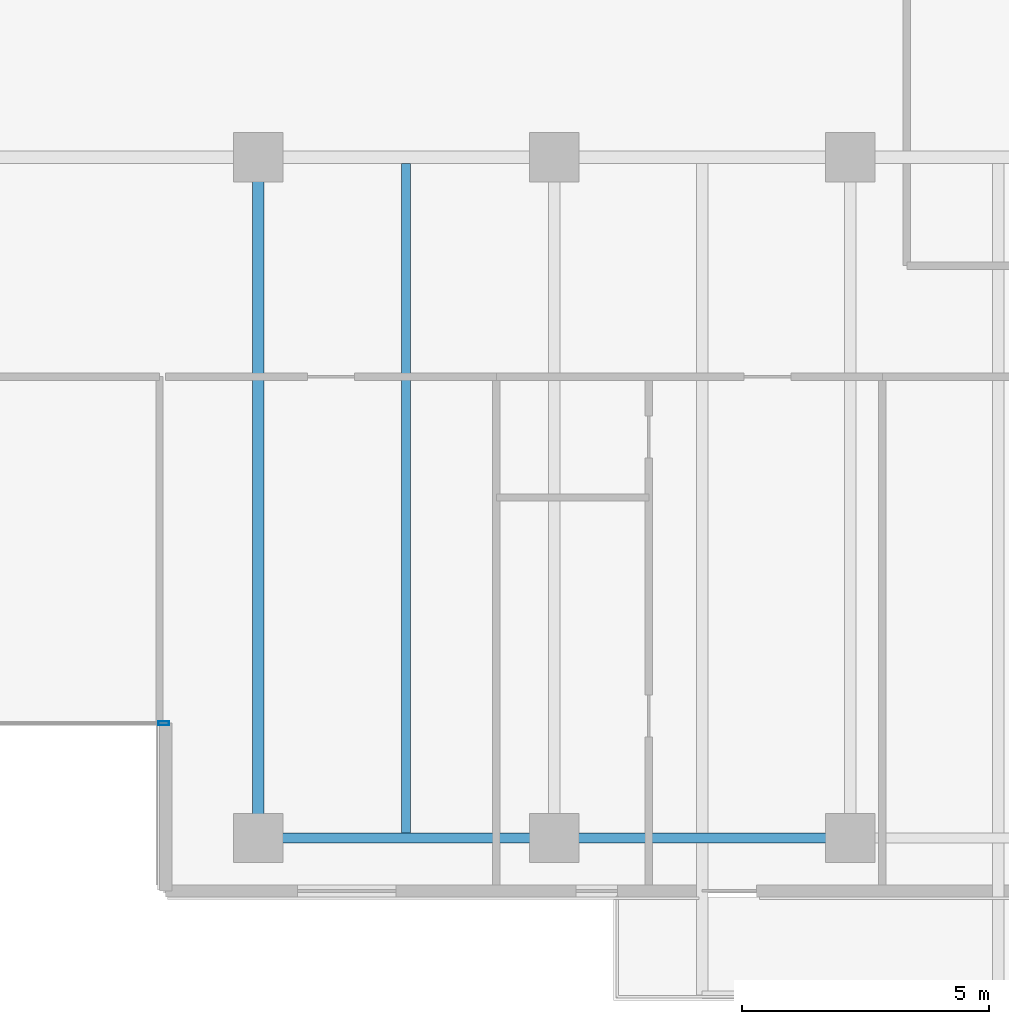
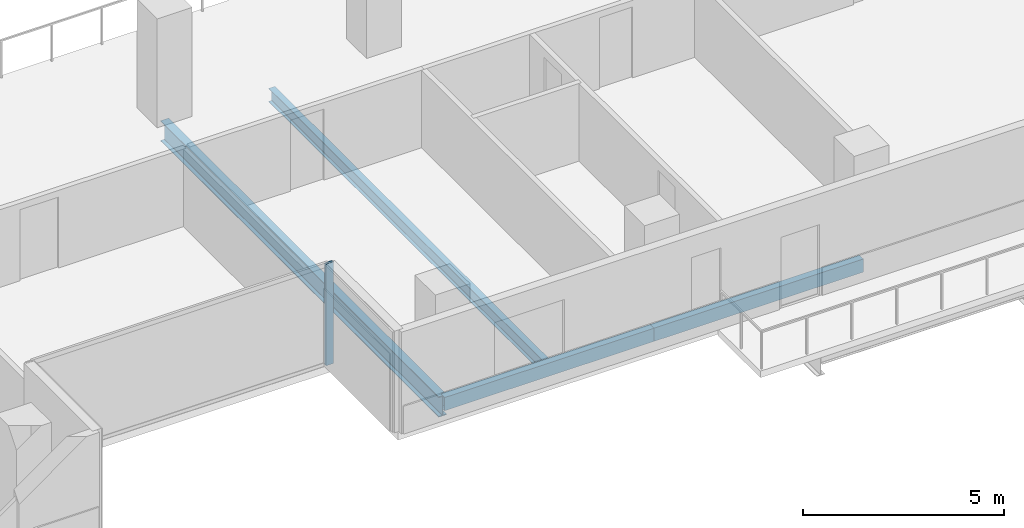
# One storey, part 4 of 23: 4 beams, 1 member, 1 element without a shape of its own.
"""IFC4 building model written with IfcOpenShell, lengths in metres."""

from ifc_helpers import new_model, si_unit, direction, frame, origin, origin_2d, place, context, subcontext, project, spatial, hollow_rectangle, i_section, extrude, material, layer, layer_set, material_profile, profile_set, type_object, element, aggregate, save


model = new_model("IFC4")

# Units and contexts
model_context = context("Model", 3, precision=1e-05, world=origin(), true_north=direction((0.0, 1.0)))
body_context = subcontext(model_context, "Body", "Model", "MODEL_VIEW")
ifc_project = project(units=[si_unit("LENGTHUNIT", "METRE"), si_unit("AREAUNIT", "SQUARE_METRE"), si_unit("VOLUMEUNIT", "CUBIC_METRE"), si_unit("PLANEANGLEUNIT", "RADIAN"), si_unit("MASSUNIT", "GRAM", prefix="KILO")], contexts=[model_context])

# Site, building, storey
site_placement = place(None, origin())
site = spatial("IfcSite", under=ifc_project, at=site_placement, CompositionType="ELEMENT")
building_placement = place(site_placement, origin())
building = spatial("IfcBuilding", under=site, at=building_placement, Name="Tanjung Sevakor Pilgrim Tower", CompositionType="ELEMENT")
storey_placement = place(building_placement, frame((0.0, 0.0, 85.469970703125)))
storey = spatial("IfcBuildingStorey", under=building, at=storey_placement, Name="L23", CompositionType="ELEMENT", Elevation=85.469970703125)

# Beams
ifc_material_1 = material(Name="Steel S355J2", Category="steel")
ifc_material_profile_1 = material_profile(ifc_material_1, i_section(OverallWidth=0.230224609375, OverallDepth=0.6171875, WebThickness=0.01318359375, FlangeThickness=0.022216796875, FilletRadius=0.0126953125, at=origin_2d()))
ifc_profile_set_1 = profile_set([ifc_material_profile_1], Name="Steel S355J2")
beam_type_1 = type_object("IfcBeamType", Name="BM-B-G3-UB_610x229x140", PredefinedType="BEAM", material=ifc_profile_set_1)
beam_1_placement = place(storey_placement, frame((54.0, 10.800048828125, -0.528564453125), z_axis=(0.0, 1.0, 0.0), x_axis=(-1.0, 0.0, 0.0)))
element("IfcBeam", 1, at=beam_1_placement, inside=storey, type_object=beam_type_1, Name="L23 MAIN Girder 012", PredefinedType="BEAM", context=body_context, shape_type="SweptSolid", body=[
    extrude(i_section(OverallWidth=0.230224609375, OverallDepth=0.6171875, WebThickness=0.01318359375, FlangeThickness=0.022216796875, FilletRadius=0.0126953125, at=origin_2d()), origin(), (0.0, 0.0, 1.0), 13.800048828125),
])
ifc_material_2 = material(Name="Steel S355J2", Category="steel")
ifc_material_profile_2 = material_profile(ifc_material_2, i_section(OverallWidth=0.1787109375, OverallDepth=0.409423828125, WebThickness=0.0087890625, FlangeThickness=0.014404296875, FilletRadius=0.01025390625, at=origin_2d()))
ifc_profile_set_2 = profile_set([ifc_material_profile_2], Name="Steel S355J2")
beam_type_2 = type_object("IfcBeamType", Name="BM-B-J3-UB_406x178x67", PredefinedType="JOIST", material=ifc_profile_set_2)
beam_2_placement = place(storey_placement, frame((57.0, 10.89990234375, -0.424560546875), z_axis=(0.0, 1.0, 0.0), x_axis=(-1.0, 0.0, 0.0)))
element("IfcBeam", 2, at=beam_2_placement, inside=storey, type_object=beam_type_2, Name="L23 MAIN Joist 014", PredefinedType="JOIST", context=body_context, shape_type="SweptSolid", body=[
    extrude(i_section(OverallWidth=0.1787109375, OverallDepth=0.409423828125, WebThickness=0.0087890625, FlangeThickness=0.014404296875, FilletRadius=0.01025390625, at=origin_2d()), origin(), (0.0, 0.0, 1.0), 13.57275390625),
])
ifc_material_3 = material(Name="Steel S355J2", Category="steel")
ifc_material_profile_3 = material_profile(ifc_material_3, hollow_rectangle(XDim=0.199951171875, YDim=0.39990234375, WallThickness=0.01611328125, at=origin_2d()))
ifc_profile_set_3 = profile_set([ifc_material_profile_3], Name="Steel S355J2")
beam_type_3 = type_object("IfcBeamType", Name="BM-B-SP2-RHS_400x200x16", PredefinedType="SPANDREL", material=ifc_profile_set_3)
for number, where, z_axis, x_axis, name in (
    (3, (54.0, 10.800048828125, -0.419921875), (1.0, 0.0, 0.0), (0.0, 1.0, 0.0), "L23 Spandrel MAIN S-07"),
    (4, (60.0, 10.800048828125, -0.419921875), (1.0, 0.0, 0.0), (0.0, 1.0, 0.0), "L23 Spandrel MAIN S-09"),
):
    element("IfcBeam", number, at=place(storey_placement, frame(where, z_axis=z_axis, x_axis=x_axis)), inside=storey, type_object=beam_type_3, Name=name, PredefinedType="SPANDREL", context=body_context, shape_type="SweptSolid", body=[
        extrude(hollow_rectangle(XDim=0.199951171875, YDim=0.39990234375, WallThickness=0.01611328125, at=origin_2d()), origin(), (0.0, 0.0, 1.0), 6.0),
    ])

# Curtain wall, member
ifc_material_4 = material(Name="Aluminium 6063-T6 and Low-E Glass", Category="aluminium")
ifc_layer = layer(ifc_material_4, 0.179931640625)
ifc_layer_set = layer_set([ifc_layer], Name="CW-SYS-CLEFT")
curtain_wall_type = type_object("IfcCurtainWallType", Name="CW-SYS-CLEFT", PredefinedType="NOTDEFINED", material=ifc_layer_set)
curtain_wall_placement = place(storey_placement, origin())
curtain_wall = element("IfcCurtainWall", 5, at=curtain_wall_placement, inside=storey, type_object=curtain_wall_type, Name="L23 Curtain Wall CW-CLF-L23-2", PredefinedType="NOTDEFINED")
ifc_material_5 = material(Name="Aluminium 6063-T6", Category="aluminium")
ifc_material_profile_4 = material_profile(ifc_material_5, hollow_rectangle(XDim=0.074951171875, YDim=0.219970703125, WallThickness=0.0048828125, at=origin_2d()))
ifc_profile_set_4 = profile_set([ifc_material_profile_4], Name="Aluminium 6063-T6")
member_type = type_object("IfcMemberType", Name="TYPE-CWM-2", PredefinedType="MULLION", material=ifc_profile_set_4)
member_placement = place(storey_placement, frame((52.08740234375, 13.125, 0.0), z_axis=(0.0, 0.0, 1.0), x_axis=(0.0, 1.0, 0.0)))
member = element("IfcMember", 6, at=member_placement, type_object=member_type, Name="CW-CLF mullion 2", PredefinedType="MULLION", context=body_context, shape_type="SweptSolid", body=[
    extrude(hollow_rectangle(XDim=0.074951171875, YDim=0.219970703125, WallThickness=0.0048828125, at=origin_2d()), origin(), (0.0, 0.0, 1.0), 3.080078125),
])
aggregate(curtain_wall, [member])

save(model, "model.ifc")
